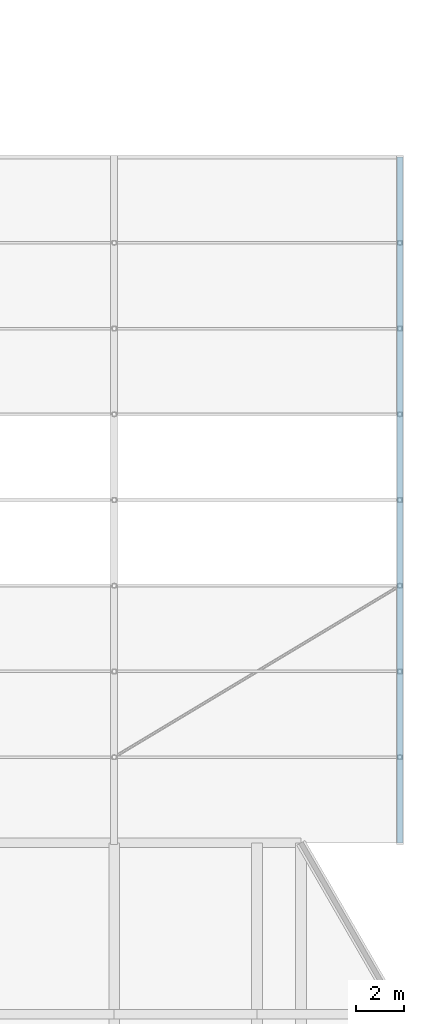
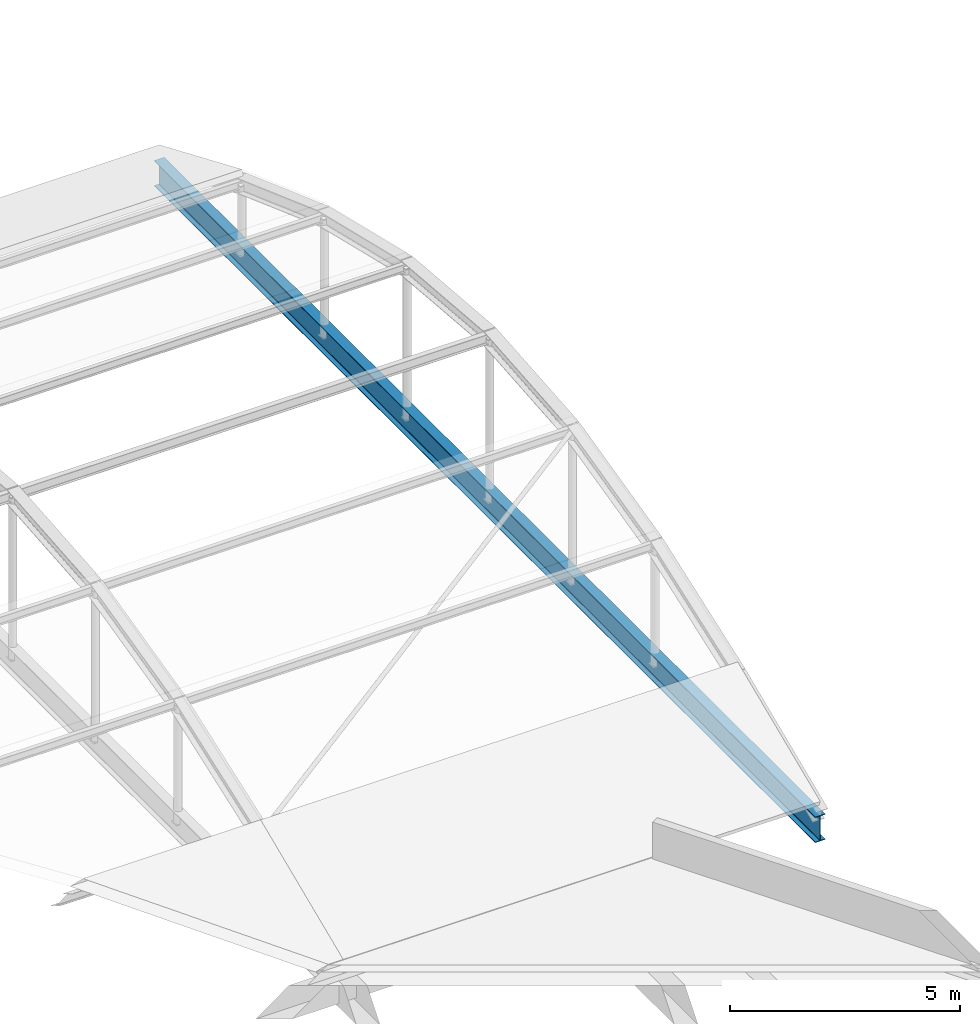
# One storey, part 186 of 239: 1 beam.
"""IFC4 building model written with IfcOpenShell, lengths in metres."""

from ifc_helpers import new_model, si_unit, direction, frame, origin, origin_2d, place, context, subcontext, project, spatial, i_section, extrude, material, material_profile, profile_set, type_object, element, save


model = new_model("IFC4")

# Units and contexts
model_context = context("Model", 3, precision=1e-05, world=origin(), true_north=direction((0.0, 1.0)))
body_context = subcontext(model_context, "Body", "Model", "MODEL_VIEW")
ifc_project = project(units=[si_unit("LENGTHUNIT", "METRE"), si_unit("AREAUNIT", "SQUARE_METRE"), si_unit("VOLUMEUNIT", "CUBIC_METRE"), si_unit("PLANEANGLEUNIT", "RADIAN"), si_unit("MASSUNIT", "GRAM", prefix="KILO")], contexts=[model_context])

# Site, building, storey
site_placement = place(None, origin())
site = spatial("IfcSite", under=ifc_project, at=site_placement, CompositionType="ELEMENT")
building_placement = place(site_placement, origin())
building = spatial("IfcBuilding", under=site, at=building_placement, Name="Dunvalen Ferry Terminal", CompositionType="ELEMENT")
storey_placement = place(building_placement, frame((0.0, 0.0, 9.840087890625)))
storey = spatial("IfcBuildingStorey", under=building, at=storey_placement, Name="L02", CompositionType="ELEMENT", Elevation=9.840087890625)

# Beam
ifc_material = material(Name="Steel S355", Category="steel")
ifc_material_profile = material_profile(ifc_material, i_section(OverallWidth=0.253662109375, OverallDepth=0.68359375, WebThickness=0.012451171875, FlangeThickness=0.01904296875, FilletRadius=0.01513671875, at=origin_2d()), Name="Steel S355")
ifc_profile_set = profile_set([ifc_material_profile], Name="Steel S355")
beam_type = type_object("IfcBeamType", Name="STR-BM-UKB686", PredefinedType="BEAM", material=ifc_profile_set)
beam_placement = place(storey_placement, frame((168.0, 57.60009765625, -0.340087890625), z_axis=(0.0, 1.0, 0.0), x_axis=(-1.0, 0.0, 0.0)))
element("IfcBeam", 1, at=beam_placement, inside=storey, type_object=beam_type, Name="Arrivals Hall Barrel-Vault Tie Girder 06", PredefinedType="BEAM", context=body_context, shape_type="SweptSolid", body=[
    extrude(i_section(OverallWidth=0.253662109375, OverallDepth=0.68359375, WebThickness=0.012451171875, FlangeThickness=0.01904296875, FilletRadius=0.01513671875, at=origin_2d()), origin(), (0.0, 0.0, 1.0), 28.7998046875),
])

save(model, "model.ifc")
